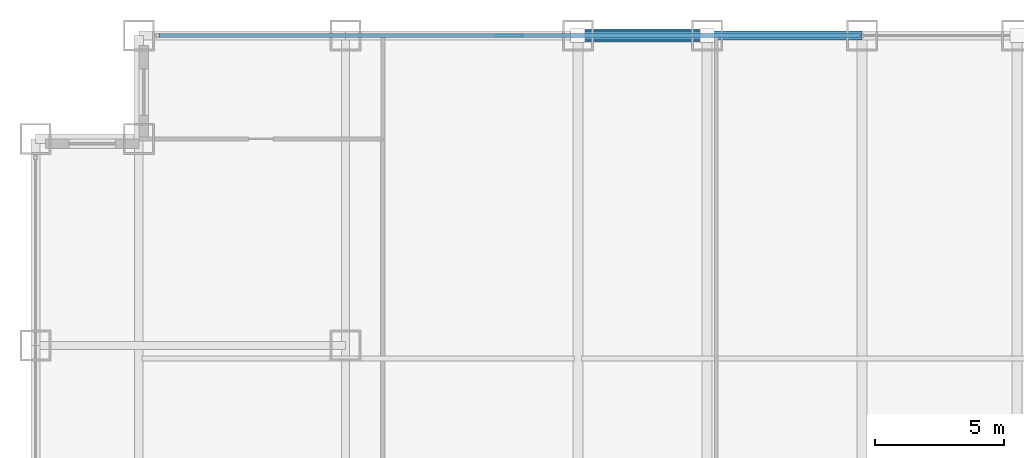
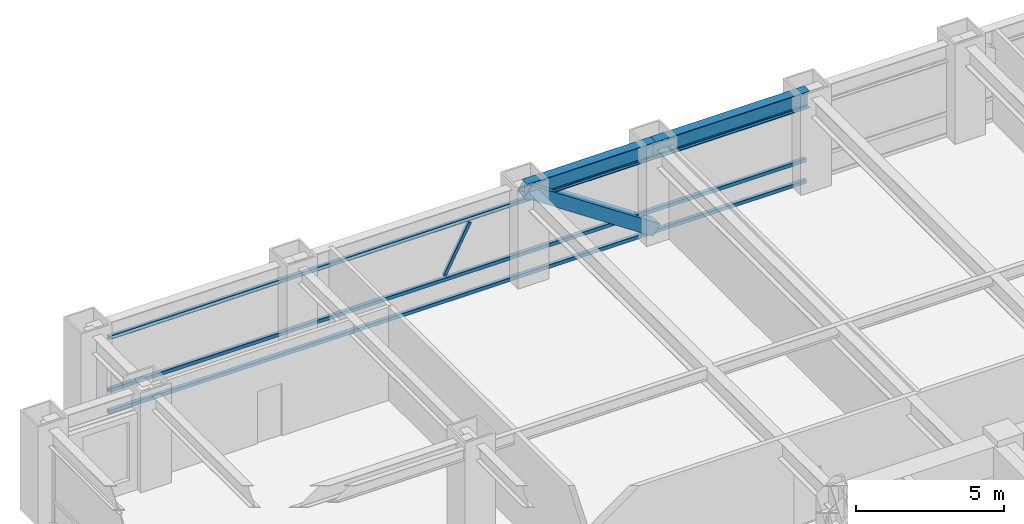
# One storey, part 18 of 28: 5 members, 2 beams, 1 element without a shape of its own.
"""IFC4 building model written with IfcOpenShell, lengths in metres."""

from ifc_helpers import new_model, si_unit, direction, frame, origin, origin_2d, place, context, subcontext, project, spatial, hollow_rectangle, i_section, extrude, source, transform, mapped, material, material_profile, profile_set, type_object, element, aggregate, save


model = new_model("IFC4")

# Units and contexts
model_context = context("Model", 3, precision=1e-05, world=origin(), true_north=direction((0.0, 1.0)))
body_context = subcontext(model_context, "Body", "Model", "MODEL_VIEW")
ifc_project = project(units=[si_unit("LENGTHUNIT", "METRE"), si_unit("AREAUNIT", "SQUARE_METRE"), si_unit("VOLUMEUNIT", "CUBIC_METRE"), si_unit("PLANEANGLEUNIT", "RADIAN"), si_unit("MASSUNIT", "GRAM", prefix="KILO")], contexts=[model_context])

# Site, building, storey
site_placement = place(None, origin())
site = spatial("IfcSite", under=ifc_project, at=site_placement, CompositionType="ELEMENT")
building_placement = place(site_placement, origin())
building = spatial("IfcBuilding", under=site, at=building_placement, Name="Khorayat Bourse Tower", CompositionType="ELEMENT")
storey_placement = place(building_placement, frame((0.0, 0.0, 120.10009765625)))
storey = spatial("IfcBuildingStorey", under=building, at=storey_placement, Name="L27", CompositionType="ELEMENT", Elevation=120.10009765625)

# Beams
ifc_material_1 = material(Name="Steel ASTM A992 Grade 50", Category="steel")
ifc_material_profile_1 = material_profile(ifc_material_1, i_section(OverallWidth=0.35498046875, OverallDepth=0.695068359375, WebThickness=0.015380859375, FlangeThickness=0.02490234375, FilletRadius=0.01806640625, at=origin_2d()), Name="W690X217")
ifc_profile_set_1 = profile_set([ifc_material_profile_1], Name="Steel ASTM A992 Grade 50")
beam_type = type_object("IfcBeamType", Name="BM-SPAN-690", PredefinedType="SPANDREL", material=ifc_profile_set_1)
shared_shape_1 = source(origin(), body_context, "Body", "SweptSolid", [
    extrude(i_section(OverallWidth=0.35498046875, OverallDepth=0.695068359375, WebThickness=0.015380859375, FlangeThickness=0.02490234375, FilletRadius=0.01806640625, at=origin_2d()), origin(), (0.0, 0.0, 1.0), 5.0),
])
beam_1_placement = place(storey_placement, frame((-11.0, 32.0, 3.492431640625), z_axis=(1.0, 0.0, 0.0), x_axis=(0.0, 1.0, 0.0)))
element("IfcBeam", 1, at=beam_1_placement, inside=storey, type_object=beam_type, Name="L27 BM-SPAN-690 BM-L27-SPN-049", PredefinedType="SPANDREL", context=body_context, shape_type="MappedRepresentation", body=[
    mapped(shared_shape_1, transform((0.0, 0.0, 0.0), scale=1.0)),
])
shared_shape_2 = source(origin(), body_context, "Body", "SweptSolid", [
    extrude(i_section(OverallWidth=0.35498046875, OverallDepth=0.695068359375, WebThickness=0.015380859375, FlangeThickness=0.02490234375, FilletRadius=0.01806640625, at=origin_2d()), origin(), (0.0, 0.0, 1.0), 6.0),
])
beam_2_placement = place(storey_placement, frame((-6.0, 32.0, 3.492431640625), z_axis=(1.0, 0.0, 0.0), x_axis=(0.0, 1.0, 0.0)))
element("IfcBeam", 2, at=beam_2_placement, inside=storey, type_object=beam_type, Name="L27 BM-SPAN-690 BM-L27-SPN-048", PredefinedType="SPANDREL", context=body_context, shape_type="MappedRepresentation", body=[
    mapped(shared_shape_2, transform((0.0, 0.0, 0.0), scale=1.0)),
])

# Member
ifc_material_2 = material(Name="Steel EN 10025-4 S460M", Category="steel")
ifc_material_profile_2 = material_profile(ifc_material_2, hollow_rectangle(XDim=0.5, YDim=0.5, WallThickness=0.028076171875, at=origin_2d()), Name="HSS 500x500x28")
ifc_profile_set_2 = profile_set([ifc_material_profile_2], Name="Steel EN 10025-4 S460M")
member_type_1 = type_object("IfcMemberType", Name="MBR-TUBE-500", PredefinedType="BRACE", material=ifc_profile_set_2)
shared_shape_3 = source(origin(), body_context, "Body", "SweptSolid", [
    extrude(hollow_rectangle(XDim=0.5, YDim=0.5, WallThickness=0.028076171875, at=origin_2d()), origin(), (0.0, 0.0, 1.0), 6.012939453125),
])
member_1_placement = place(storey_placement, frame((-11.0, 32.0, 3.58984375), z_axis=(0.831550226979, 0.0, -0.555449565677), x_axis=(0.0, 1.0, 0.0)))
element("IfcMember", 3, at=member_1_placement, inside=storey, type_object=member_type_1, Name="L27 Perimeter Tube Brace 03", PredefinedType="BRACE", context=body_context, shape_type="MappedRepresentation", body=[
    mapped(shared_shape_3, transform((0.0, 0.0, 0.0), scale=1.0)),
])

# Curtain wall, members
ifc_material_3 = material(Name="Aluminium EN AW-6063 T6", Category="aluminium")
curtain_wall_type = type_object("IfcCurtainWallType", Name="CW-SYS-02", PredefinedType="NOTDEFINED", material=ifc_material_3)
curtain_wall_placement = place(storey_placement, origin())
curtain_wall = element("IfcCurtainWall", 4, at=curtain_wall_placement, inside=storey, type_object=curtain_wall_type, Name="L27 Curtain Wall CW-L27-N1", PredefinedType="NOTDEFINED")
ifc_material_profile_3 = material_profile(ifc_material_3, hollow_rectangle(XDim=0.139892578125, YDim=0.139892578125, WallThickness=0.006103515625, at=origin_2d()), Name="ALU 140x140x6")
ifc_profile_set_3 = profile_set([ifc_material_profile_3], Name="Aluminium EN AW-6063 T6")
member_type_2 = type_object("IfcMemberType", Name="CWT-HORZ-140", PredefinedType="USERDEFINED", material=ifc_profile_set_3)
shared_shape_4 = source(origin(), body_context, "Body", "SweptSolid", [
    extrude(hollow_rectangle(XDim=0.139892578125, YDim=0.139892578125, WallThickness=0.006103515625, at=origin_2d()), origin(), (0.0, 0.0, 1.0), 27.139892578125),
])
member_2_placement = place(storey_placement, frame((-27.2099609375, 32.0, 0.06982421875), z_axis=(1.0, 0.0, 0.0), x_axis=(0.0, 1.0, 0.0)))
member_2 = element("IfcMember", 5, at=member_2_placement, type_object=member_type_2, Name="CW-L27-N1 Horizontal Transom 1-1", ObjectType="TRANSOM", PredefinedType="USERDEFINED", context=body_context, shape_type="MappedRepresentation", body=[
    mapped(shared_shape_4, transform((0.0, 0.0, 0.0), scale=1.0)),
])
member_3_placement = place(storey_placement, frame((-27.2099609375, 32.0, 0.949951171875), z_axis=(1.0, 0.0, 0.0), x_axis=(0.0, 1.0, 0.0)))
member_3 = element("IfcMember", 6, at=member_3_placement, type_object=member_type_2, Name="CW-L27-N1 Horizontal Transom 1-2", ObjectType="TRANSOM", PredefinedType="USERDEFINED", context=body_context, shape_type="MappedRepresentation", body=[
    mapped(shared_shape_4, transform((0.0, 0.0, 0.0), scale=1.0)),
])
member_4_placement = place(storey_placement, frame((-27.2099609375, 32.0, 3.119873046875), z_axis=(1.0, 0.0, 0.0), x_axis=(0.0, 1.0, 0.0)))
member_4 = element("IfcMember", 7, at=member_4_placement, type_object=member_type_2, Name="CW-L27-N1 Horizontal Transom 1-3", ObjectType="TRANSOM", PredefinedType="USERDEFINED", context=body_context, shape_type="MappedRepresentation", body=[
    mapped(shared_shape_4, transform((0.0, 0.0, 0.0), scale=1.0)),
])
ifc_material_profile_4 = material_profile(ifc_material_3, hollow_rectangle(XDim=0.1201171875, YDim=0.1201171875, WallThickness=0.0048828125, at=origin_2d()), Name="ALU 120x120x5")
ifc_profile_set_4 = profile_set([ifc_material_profile_4], Name="Aluminium EN AW-6063 T6")
member_type_3 = type_object("IfcMemberType", Name="CWM-DIAG-120", PredefinedType="MULLION", material=ifc_profile_set_4)
shared_shape_5 = source(origin(), body_context, "Body", "SweptSolid", [
    extrude(hollow_rectangle(XDim=0.1201171875, YDim=0.1201171875, WallThickness=0.0048828125, at=origin_2d()), origin(), (0.0, 0.0, 1.0), 2.11328125),
])
member_5_placement = place(storey_placement, frame((-14.132080078125, 32.0, 1.099853515625), z_axis=(0.465694055905, 0.0, 0.884945787207), x_axis=(0.0, 1.0, 0.0)))
member_5 = element("IfcMember", 8, at=member_5_placement, type_object=member_type_3, Name="CW-L27-N1 Faceted Diagonal Mullion 1", PredefinedType="MULLION", context=body_context, shape_type="MappedRepresentation", body=[
    mapped(shared_shape_5, transform((0.0, 0.0, 0.0), scale=1.0)),
])
aggregate(curtain_wall, [member_2, member_3, member_4, member_5])

save(model, "model.ifc")
